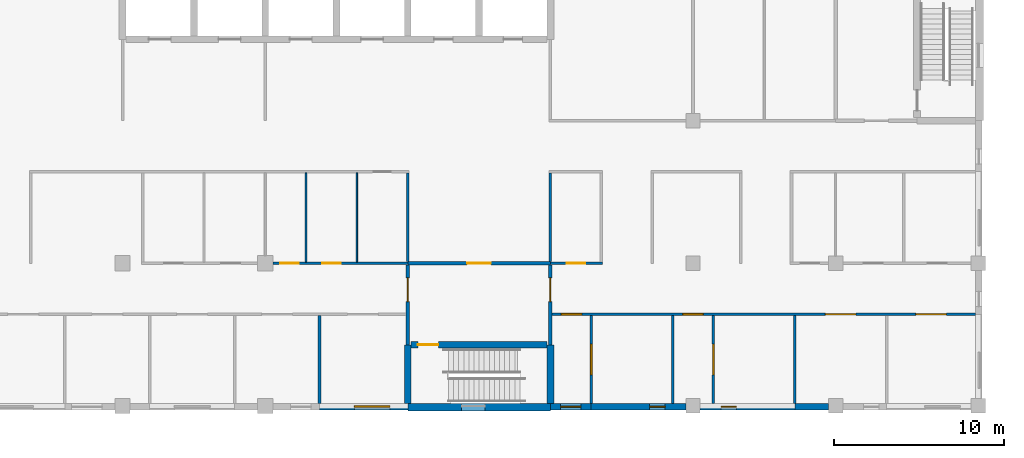
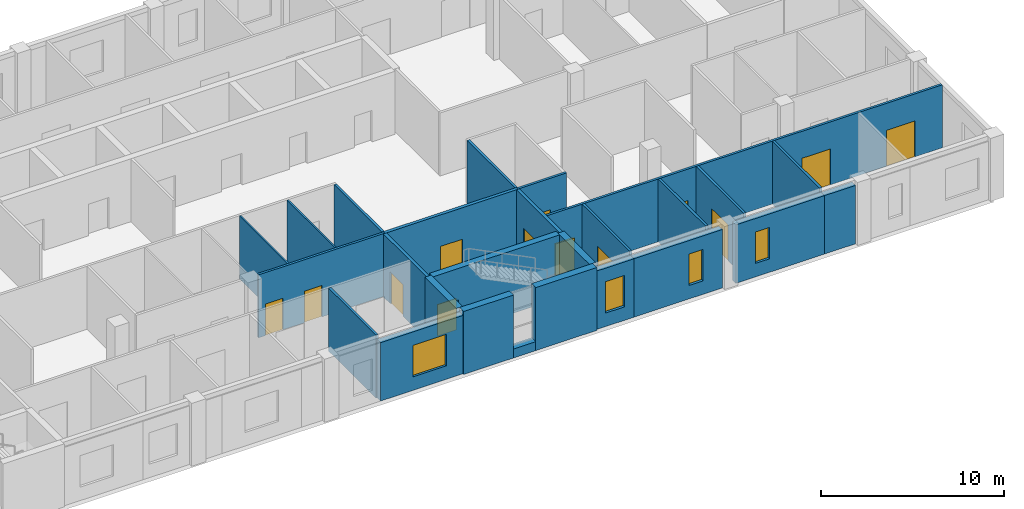
# One storey, part 46 of 66: 26 walls, 13 doors, 4 windows, 17 openings.
"""IFC4 building model written with IfcOpenShell, lengths in metres."""

from ifc_helpers import new_model, si_unit, direction, frame, frame_2d, origin, place, context, subcontext, project, spatial, rectangle, extrude, material, layer, layer_set, type_object, element, fill, save


model = new_model("IFC4")

# Units and contexts
model_context = context("Model", 3, precision=1e-05, world=origin(), true_north=direction((0.0, 1.0)))
body_context = subcontext(model_context, "Body", "Model", "MODEL_VIEW")
ifc_project = project(units=[si_unit("LENGTHUNIT", "METRE"), si_unit("AREAUNIT", "SQUARE_METRE"), si_unit("VOLUMEUNIT", "CUBIC_METRE"), si_unit("PLANEANGLEUNIT", "RADIAN"), si_unit("MASSUNIT", "GRAM", prefix="KILO")], contexts=[model_context])

# Site, building, storey
site_placement = place(None, origin())
site = spatial("IfcSite", under=ifc_project, at=site_placement, CompositionType="ELEMENT")
building_placement = place(site_placement, origin())
building = spatial("IfcBuilding", under=site, at=building_placement, Name="Yavir Park General Hospital", CompositionType="ELEMENT")
storey_placement = place(building_placement, frame((0.0, 0.0, 8.39990234375)))
storey = spatial("IfcBuildingStorey", under=building, at=storey_placement, Name="L02", CompositionType="ELEMENT", Elevation=8.39990234375)

# Wall, opening, door
ifc_material_1 = material(Name="Double gypsum board fire partition on steel studs", Category="steel")
ifc_layer_1 = layer(ifc_material_1, 0.199951171875)
ifc_layer_set_1 = layer_set([ifc_layer_1], Name="Double gypsum board fire partition on steel studs")
wall_type_1 = type_object("IfcWallType", Name="Fire-rated partition 200, EI 60", PredefinedType="PARTITIONING", material=ifc_layer_set_1)
wall_1_placement = place(storey_placement, frame((134.39990234375, 8.39990234375, 0.0), z_axis=(0.0, 0.0, 1.0), x_axis=(1.0, 0.0, 0.0)))
wall_1 = element("IfcWall", 1, at=wall_1_placement, inside=storey, type_object=wall_type_1, Name="FP20 L02-022", PredefinedType="PARTITIONING", context=body_context, shape_type="SweptSolid", body=[
    extrude(rectangle(XDim=8.400146484375, YDim=0.199951171875, at=frame_2d((4.2001953125, 0.0))), origin(), (0.0, 0.0, 1.0), 4.2001953125),
])
opening_1_placement = place(wall_1_placement, frame((3.5, 0.0, 0.0)))
opening_1 = element("IfcOpeningElement", 2, at=opening_1_placement, cuts=wall_1, Name="Opening L02.D034", PredefinedType="OPENING", context=body_context, shape_type="SweptSolid", body=[
    extrude(rectangle(XDim=1.39990234375, YDim=2.10009765625, at=frame_2d((0.699951171875, 1.050048828125))), frame((0.0, 0.10986328125, 0.0), z_axis=(0.0, -1.0, 0.0), x_axis=(1.0, 0.0, 0.0)), (0.0, 0.0, 1.0), 0.219970703125),
])
ifc_material_2 = material(Name="Steel frame, fire-resisting timber leaves", Category="steel")
door_type_1 = type_object("IfcDoorType", Name="Double fire door 1400 x 2100, EI 60", OperationType="DOUBLE_DOOR_SINGLE_SWING", PredefinedType="DOOR", material=ifc_material_2)
door_1_placement = place(opening_1_placement, origin())
door_1 = element("IfcDoor", 3, at=door_1_placement, inside=storey, type_object=door_type_1, Name="L02.D034", OperationType="SINGLE_SWING_LEFT", OverallHeight=2.10009765625, OverallWidth=1.39990234375, PredefinedType="DOOR", context=body_context, shape_type="SweptSolid", body=[
    extrude(rectangle(XDim=1.39990234375, YDim=2.10009765625, at=frame_2d((0.699951171875, 1.050048828125))), frame((0.0, 0.02490234375, 0.0), z_axis=(0.0, -1.0, 0.0), x_axis=(1.0, 0.0, 0.0)), (0.0, 0.0, 1.0), 0.050048828125),
])
fill(opening_1, door_1)

wall_2_placement = place(storey_placement, frame((134.39990234375, 3.60009765625, 0.0), z_axis=(0.0, 0.0, 1.0), x_axis=(0.0, 1.0, 0.0)))
wall_2 = element("IfcWall", 4, at=wall_2_placement, inside=storey, type_object=wall_type_1, Name="FP20 L02-308", PredefinedType="PARTITIONING", context=body_context, shape_type="SweptSolid", body=[
    extrude(rectangle(XDim=4.699951171875, YDim=0.199951171875, at=frame_2d((2.35009765625, 0.0))), origin(), (0.0, 0.0, 1.0), 4.2001953125),
])
opening_2_placement = place(wall_2_placement, frame((2.550048828125, 0.0, 0.0)))
opening_2 = element("IfcOpeningElement", 5, at=opening_2_placement, cuts=wall_2, Name="Opening L02.D184", PredefinedType="OPENING", context=body_context, shape_type="SweptSolid", body=[
    extrude(rectangle(XDim=1.39990234375, YDim=2.10009765625, at=frame_2d((0.699951171875, 1.050048828125))), frame((0.0, 0.10986328125, 0.0), z_axis=(0.0, -1.0, 0.0), x_axis=(1.0, 0.0, 0.0)), (0.0, 0.0, 1.0), 0.219970703125),
])
ifc_material_3 = material(Name="Steel frame, fire-resisting leaves with vision panels", Category="steel")
door_type_2 = type_object("IfcDoorType", Name="Double fire door with vision panels 1400 x 2100, EI 60", OperationType="DOUBLE_DOOR_SINGLE_SWING", PredefinedType="DOOR", material=ifc_material_3)
door_2_placement = place(opening_2_placement, origin())
door_2 = element("IfcDoor", 6, at=door_2_placement, inside=storey, type_object=door_type_2, Name="L02.D184", OperationType="SINGLE_SWING_RIGHT", OverallHeight=2.10009765625, OverallWidth=1.39990234375, PredefinedType="DOOR", context=body_context, shape_type="SweptSolid", body=[
    extrude(rectangle(XDim=1.39990234375, YDim=2.10009765625, at=frame_2d((0.699951171875, 1.050048828125))), frame((0.0, 0.030029296875, 0.0), z_axis=(0.0, -1.0, 0.0), x_axis=(1.0, 0.0, 0.0)), (0.0, 0.0, 1.0), 0.06005859375),
])
fill(opening_2, door_2)

wall_3_placement = place(storey_placement, frame((142.800048828125, 3.60009765625, 0.0), z_axis=(0.0, 0.0, 1.0), x_axis=(0.0, 1.0, 0.0)))
wall_3 = element("IfcWall", 7, at=wall_3_placement, inside=storey, type_object=wall_type_1, Name="FP20 L02-314", PredefinedType="PARTITIONING", context=body_context, shape_type="SweptSolid", body=[
    extrude(rectangle(XDim=4.699951171875, YDim=0.199951171875, at=frame_2d((2.35009765625, 0.0))), origin(), (0.0, 0.0, 1.0), 4.2001953125),
])
opening_3_placement = place(wall_3_placement, frame((2.550048828125, 0.0, 0.0)))
opening_3 = element("IfcOpeningElement", 8, at=opening_3_placement, cuts=wall_3, Name="Opening L02.D185", PredefinedType="OPENING", context=body_context, shape_type="SweptSolid", body=[
    extrude(rectangle(XDim=1.39990234375, YDim=2.10009765625, at=frame_2d((0.699951171875, 1.050048828125))), frame((0.0, 0.10986328125, 0.0), z_axis=(0.0, -1.0, 0.0), x_axis=(1.0, 0.0, 0.0)), (0.0, 0.0, 1.0), 0.219970703125),
])
door_3_placement = place(opening_3_placement, origin())
door_3 = element("IfcDoor", 9, at=door_3_placement, inside=storey, type_object=door_type_2, Name="L02.D185", OperationType="SINGLE_SWING_LEFT", OverallHeight=2.10009765625, OverallWidth=1.39990234375, PredefinedType="DOOR", context=body_context, shape_type="SweptSolid", body=[
    extrude(rectangle(XDim=1.39990234375, YDim=2.10009765625, at=frame_2d((0.699951171875, 1.050048828125))), frame((0.0, 0.030029296875, 0.0), z_axis=(0.0, -1.0, 0.0), x_axis=(1.0, 0.0, 0.0)), (0.0, 0.0, 1.0), 0.06005859375),
])
fill(opening_3, door_3)

# Walls
ifc_material_4 = material(Name="Gypsum board partition on steel studs", Category="steel")
ifc_layer_2 = layer(ifc_material_4, 0.10009765625)
ifc_layer_set_2 = layer_set([ifc_layer_2], Name="Gypsum board partition on steel studs")
wall_type_2 = type_object("IfcWallType", Name="Gypsum board partition 100", PredefinedType="PARTITIONING", material=ifc_layer_set_2)
for number, where, z_axis, x_axis, name in (
    (10, (128.39990234375, 8.47509765625, 0.0), (0.0, 0.0, 1.0), (0.0, 1.0, 0.0), "P10 L02-302"),
    (11, (131.39990234375, 8.47509765625, 0.0), (0.0, 0.0, 1.0), (0.0, 1.0, 0.0), "P10 L02-305"),
):
    element("IfcWall", number, at=place(storey_placement, frame(where, z_axis=z_axis, x_axis=x_axis)), inside=storey, type_object=wall_type_2, Name=name, PredefinedType="PARTITIONING", context=body_context, shape_type="SweptSolid", body=[
        extrude(rectangle(XDim=5.25, YDim=0.10009765625, at=frame_2d((2.625, 0.0))), origin(), (0.0, 0.0, 1.0), 4.2001953125),
    ])

# Wall, openings, doors
ifc_material_5 = material(Name="Gypsum board partition on steel studs", Category="steel")
ifc_layer_3 = layer(ifc_material_5, 0.14990234375)
ifc_layer_set_3 = layer_set([ifc_layer_3], Name="Gypsum board partition on steel studs")
wall_type_3 = type_object("IfcWallType", Name="Gypsum board partition 150", PredefinedType="PARTITIONING", material=ifc_layer_set_3)
wall_4_placement = place(storey_placement, frame((142.89990234375, 5.39990234375, 0.0), z_axis=(0.0, 0.0, 1.0), x_axis=(1.0, 0.0, 0.0)))
wall_4 = element("IfcWall", 12, at=wall_4_placement, inside=storey, type_object=wall_type_3, Name="P15 L02-006", PredefinedType="PARTITIONING", context=body_context, shape_type="SweptSolid", body=[
    extrude(rectangle(XDim=24.9501953125, YDim=0.14990234375, at=frame_2d((12.47509765625, 0.0))), origin(), (0.0, 0.0, 1.0), 4.2001953125),
])
opening_4_placement = place(wall_4_placement, frame((0.550048828125, 0.0, 0.0)))
opening_4 = element("IfcOpeningElement", 13, at=opening_4_placement, cuts=wall_4, Name="Opening L02.D010", PredefinedType="OPENING", context=body_context, shape_type="SweptSolid", body=[
    extrude(rectangle(XDim=1.199951171875, YDim=2.10009765625, at=frame_2d((0.60009765625, 1.050048828125))), frame((0.0, 0.0849609375, 0.0), z_axis=(0.0, -1.0, 0.0), x_axis=(1.0, 0.0, 0.0)), (0.0, 0.0, 1.0), 0.169921875),
])
opening_5_placement = place(wall_4_placement, frame((7.699951171875, 0.0, 0.0)))
opening_5 = element("IfcOpeningElement", 14, at=opening_5_placement, cuts=wall_4, Name="Opening L02.D011", PredefinedType="OPENING", context=body_context, shape_type="SweptSolid", body=[
    extrude(rectangle(XDim=1.199951171875, YDim=2.10009765625, at=frame_2d((0.60009765625, 1.050048828125))), frame((0.0, 0.0849609375, 0.0), z_axis=(0.0, -1.0, 0.0), x_axis=(1.0, 0.0, 0.0)), (0.0, 0.0, 1.0), 0.169921875),
])
opening_6_placement = place(wall_4_placement, frame((16.10009765625, 0.0, 0.0)))
opening_6 = element("IfcOpeningElement", 15, at=opening_6_placement, cuts=wall_4, Name="Opening L02.D012", PredefinedType="OPENING", context=body_context, shape_type="SweptSolid", body=[
    extrude(rectangle(XDim=1.800048828125, YDim=2.39990234375, at=frame_2d((0.89990234375, 1.199951171875))), frame((0.0, 0.0849609375, 0.0), z_axis=(0.0, -1.0, 0.0), x_axis=(1.0, 0.0, 0.0)), (0.0, 0.0, 1.0), 0.169921875),
])
opening_7_placement = place(wall_4_placement, frame((21.425048828125, 0.0, 0.0)))
opening_7 = element("IfcOpeningElement", 16, at=opening_7_placement, cuts=wall_4, Name="Opening L02.D013", PredefinedType="OPENING", context=body_context, shape_type="SweptSolid", body=[
    extrude(rectangle(XDim=1.800048828125, YDim=2.39990234375, at=frame_2d((0.89990234375, 1.199951171875))), frame((0.0, 0.0849609375, 0.0), z_axis=(0.0, -1.0, 0.0), x_axis=(1.0, 0.0, 0.0)), (0.0, 0.0, 1.0), 0.169921875),
])
ifc_material_6 = material(Name="Aluminium frame, safety glass leaves", Category="aluminium")
door_type_3 = type_object("IfcDoorType", Name="Glazed bi-parting sliding door, intensive care 1800 x 2400", OperationType="DOUBLE_DOOR_SLIDING", PredefinedType="DOOR", material=ifc_material_6)
door_4_placement = place(opening_6_placement, origin())
door_4 = element("IfcDoor", 17, at=door_4_placement, inside=storey, type_object=door_type_3, Name="L02.D012", OperationType="DOUBLE_DOOR_SLIDING", OverallHeight=2.39990234375, OverallWidth=1.800048828125, PredefinedType="DOOR", context=body_context, shape_type="SweptSolid", body=[
    extrude(rectangle(XDim=1.800048828125, YDim=2.39990234375, at=frame_2d((0.89990234375, 1.199951171875))), frame((0.0, 0.03515625, 0.0), z_axis=(0.0, -1.0, 0.0), x_axis=(1.0, 0.0, 0.0)), (0.0, 0.0, 1.0), 0.070068359375),
])
fill(opening_6, door_4)
door_5_placement = place(opening_7_placement, origin())
door_5 = element("IfcDoor", 18, at=door_5_placement, inside=storey, type_object=door_type_3, Name="L02.D013", OperationType="DOUBLE_DOOR_SLIDING", OverallHeight=2.39990234375, OverallWidth=1.800048828125, PredefinedType="DOOR", context=body_context, shape_type="SweptSolid", body=[
    extrude(rectangle(XDim=1.800048828125, YDim=2.39990234375, at=frame_2d((0.89990234375, 1.199951171875))), frame((0.0, 0.03515625, 0.0), z_axis=(0.0, -1.0, 0.0), x_axis=(1.0, 0.0, 0.0)), (0.0, 0.0, 1.0), 0.070068359375),
])
fill(opening_7, door_5)
ifc_material_7 = material(Name="Sealed steel door leaf, compression seals", Category="steel")
door_type_4 = type_object("IfcDoorType", Name="Isolation airlock door 1200 x 2100", OperationType="SINGLE_SWING_LEFT", PredefinedType="DOOR", material=ifc_material_7)
door_6_placement = place(opening_4_placement, origin())
door_6 = element("IfcDoor", 19, at=door_6_placement, inside=storey, type_object=door_type_4, Name="L02.D010", OperationType="SINGLE_SWING_RIGHT", OverallHeight=2.10009765625, OverallWidth=1.199951171875, PredefinedType="DOOR", context=body_context, shape_type="SweptSolid", body=[
    extrude(rectangle(XDim=1.199951171875, YDim=2.10009765625, at=frame_2d((0.60009765625, 1.050048828125))), frame((0.0, 0.050048828125, 0.0), z_axis=(0.0, -1.0, 0.0), x_axis=(1.0, 0.0, 0.0)), (0.0, 0.0, 1.0), 0.10009765625),
])
fill(opening_4, door_6)
door_7_placement = place(opening_5_placement, origin())
door_7 = element("IfcDoor", 20, at=door_7_placement, inside=storey, type_object=door_type_4, Name="L02.D011", OperationType="SINGLE_SWING_LEFT", OverallHeight=2.10009765625, OverallWidth=1.199951171875, PredefinedType="DOOR", context=body_context, shape_type="SweptSolid", body=[
    extrude(rectangle(XDim=1.199951171875, YDim=2.10009765625, at=frame_2d((0.60009765625, 1.050048828125))), frame((0.0, 0.050048828125, 0.0), z_axis=(0.0, -1.0, 0.0), x_axis=(1.0, 0.0, 0.0)), (0.0, 0.0, 1.0), 0.10009765625),
])
fill(opening_5, door_7)

wall_5_placement = place(storey_placement, frame((126.449951171875, 8.39990234375, 0.0), z_axis=(0.0, 0.0, 1.0), x_axis=(1.0, 0.0, 0.0)))
wall_5 = element("IfcWall", 21, at=wall_5_placement, inside=storey, type_object=wall_type_3, Name="P15 L02-021", PredefinedType="PARTITIONING", context=body_context, shape_type="SweptSolid", body=[
    extrude(rectangle(XDim=7.949951171875, YDim=0.14990234375, at=frame_2d((3.97509765625, 0.0))), origin(), (0.0, 0.0, 1.0), 4.2001953125),
])
opening_8_placement = place(wall_5_placement, frame((0.425048828125, 0.0, 0.0)))
opening_8 = element("IfcOpeningElement", 22, at=opening_8_placement, cuts=wall_5, Name="Opening L02.D032", PredefinedType="OPENING", context=body_context, shape_type="SweptSolid", body=[
    extrude(rectangle(XDim=1.10009765625, YDim=2.10009765625, at=frame_2d((0.550048828125, 1.050048828125))), frame((0.0, 0.0849609375, 0.0), z_axis=(0.0, -1.0, 0.0), x_axis=(1.0, 0.0, 0.0)), (0.0, 0.0, 1.0), 0.169921875),
])
opening_9_placement = place(wall_5_placement, frame((2.89990234375, 0.0, 0.0)))
opening_9 = element("IfcOpeningElement", 23, at=opening_9_placement, cuts=wall_5, Name="Opening L02.D033", PredefinedType="OPENING", context=body_context, shape_type="SweptSolid", body=[
    extrude(rectangle(XDim=1.10009765625, YDim=2.10009765625, at=frame_2d((0.550048828125, 1.050048828125))), frame((0.0, 0.0849609375, 0.0), z_axis=(0.0, -1.0, 0.0), x_axis=(1.0, 0.0, 0.0)), (0.0, 0.0, 1.0), 0.169921875),
])
ifc_material_8 = material(Name="Hollow metal frame, solid-core timber leaf", Category="wood")
door_type_5 = type_object("IfcDoorType", Name="Single swing door 1100 x 2100", OperationType="SINGLE_SWING_LEFT", PredefinedType="DOOR", material=ifc_material_8)
door_8_placement = place(opening_8_placement, origin())
door_8 = element("IfcDoor", 24, at=door_8_placement, inside=storey, type_object=door_type_5, Name="L02.D032", OperationType="SINGLE_SWING_RIGHT", OverallHeight=2.10009765625, OverallWidth=1.10009765625, PredefinedType="DOOR", context=body_context, shape_type="SweptSolid", body=[
    extrude(rectangle(XDim=1.10009765625, YDim=2.10009765625, at=frame_2d((0.550048828125, 1.050048828125))), frame((0.0, 0.02490234375, 0.0), z_axis=(0.0, -1.0, 0.0), x_axis=(1.0, 0.0, 0.0)), (0.0, 0.0, 1.0), 0.050048828125),
])
fill(opening_8, door_8)
door_9_placement = place(opening_9_placement, origin())
door_9 = element("IfcDoor", 25, at=door_9_placement, inside=storey, type_object=door_type_5, Name="L02.D033", OperationType="SINGLE_SWING_RIGHT", OverallHeight=2.10009765625, OverallWidth=1.10009765625, PredefinedType="DOOR", context=body_context, shape_type="SweptSolid", body=[
    extrude(rectangle(XDim=1.10009765625, YDim=2.10009765625, at=frame_2d((0.550048828125, 1.050048828125))), frame((0.0, 0.02490234375, 0.0), z_axis=(0.0, -1.0, 0.0), x_axis=(1.0, 0.0, 0.0)), (0.0, 0.0, 1.0), 0.050048828125),
])
fill(opening_9, door_9)

# Wall, opening, door
wall_6_placement = place(storey_placement, frame((142.800048828125, 8.39990234375, 0.0), z_axis=(0.0, 0.0, 1.0), x_axis=(1.0, 0.0, 0.0)))
wall_6 = element("IfcWall", 26, at=wall_6_placement, inside=storey, type_object=wall_type_3, Name="P15 L02-023", PredefinedType="PARTITIONING", context=body_context, shape_type="SweptSolid", body=[
    extrude(rectangle(XDim=3.074951171875, YDim=0.14990234375, at=frame_2d((1.53759765625, 0.0))), origin(), (0.0, 0.0, 1.0), 4.2001953125),
])
opening_10_placement = place(wall_6_placement, frame((0.949951171875, 0.0, 0.0)))
opening_10 = element("IfcOpeningElement", 27, at=opening_10_placement, cuts=wall_6, Name="Opening L02.D035", PredefinedType="OPENING", context=body_context, shape_type="SweptSolid", body=[
    extrude(rectangle(XDim=1.10009765625, YDim=2.10009765625, at=frame_2d((0.550048828125, 1.050048828125))), frame((0.0, 0.0849609375, 0.0), z_axis=(0.0, -1.0, 0.0), x_axis=(1.0, 0.0, 0.0)), (0.0, 0.0, 1.0), 0.169921875),
])
door_10_placement = place(opening_10_placement, origin())
door_10 = element("IfcDoor", 28, at=door_10_placement, inside=storey, type_object=door_type_5, Name="L02.D035", OperationType="SINGLE_SWING_LEFT", OverallHeight=2.10009765625, OverallWidth=1.10009765625, PredefinedType="DOOR", context=body_context, shape_type="SweptSolid", body=[
    extrude(rectangle(XDim=1.10009765625, YDim=2.10009765625, at=frame_2d((0.550048828125, 1.050048828125))), frame((0.0, 0.02490234375, 0.0), z_axis=(0.0, -1.0, 0.0), x_axis=(1.0, 0.0, 0.0)), (0.0, 0.0, 1.0), 0.050048828125),
])
fill(opening_10, door_10)

# Walls
wall_7_placement = place(storey_placement, frame((129.199951171875, 0.14990234375, 0.0), z_axis=(0.0, 0.0, 1.0), x_axis=(0.0, 1.0, 0.0)))
element("IfcWall", 29, at=wall_7_placement, inside=storey, type_object=wall_type_3, Name="P15 L02-303", PredefinedType="PARTITIONING", context=body_context, shape_type="SweptSolid", body=[
    extrude(rectangle(XDim=5.175048828125, YDim=0.14990234375, at=frame_2d((2.58740234375, 0.0))), origin(), (0.0, 0.0, 1.0), 4.2001953125),
])
for number, where, z_axis, x_axis, name in (
    (30, (134.39990234375, 8.5, 0.0), (0.0, 0.0, 1.0), (0.0, 1.0, 0.0), "P15 L02-309"),
    (31, (142.800048828125, 8.5, 0.0), (0.0, 0.0, 1.0), (0.0, 1.0, 0.0), "P15 L02-315"),
):
    element("IfcWall", number, at=place(storey_placement, frame(where, z_axis=z_axis, x_axis=x_axis)), inside=storey, type_object=wall_type_3, Name=name, PredefinedType="PARTITIONING", context=body_context, shape_type="SweptSolid", body=[
        extrude(rectangle(XDim=5.22509765625, YDim=0.14990234375, at=frame_2d((2.612548828125, 0.0))), origin(), (0.0, 0.0, 1.0), 4.2001953125),
    ])

# Wall, opening, door
wall_8_placement = place(storey_placement, frame((145.199951171875, 0.14990234375, 0.0), z_axis=(0.0, 0.0, 1.0), x_axis=(0.0, 1.0, 0.0)))
wall_8 = element("IfcWall", 32, at=wall_8_placement, inside=storey, type_object=wall_type_3, Name="P15 L02-320", PredefinedType="PARTITIONING", context=body_context, shape_type="SweptSolid", body=[
    extrude(rectangle(XDim=5.175048828125, YDim=0.14990234375, at=frame_2d((2.58740234375, 0.0))), origin(), (0.0, 0.0, 1.0), 4.2001953125),
])
opening_11_placement = place(wall_8_placement, frame((1.6875, 0.0, 0.0)))
opening_11 = element("IfcOpeningElement", 33, at=opening_11_placement, cuts=wall_8, Name="Opening L02.D187", PredefinedType="OPENING", context=body_context, shape_type="SweptSolid", body=[
    extrude(rectangle(XDim=1.800048828125, YDim=2.39990234375, at=frame_2d((0.89990234375, 1.199951171875))), frame((0.0, 0.0849609375, 0.0), z_axis=(0.0, -1.0, 0.0), x_axis=(1.0, 0.0, 0.0)), (0.0, 0.0, 1.0), 0.169921875),
])
ifc_material_9 = material(Name="Sealed steel door leaves, compression seals", Category="steel")
door_type_6 = type_object("IfcDoorType", Name="Isolation airlock double door 1800 x 2400", OperationType="DOUBLE_DOOR_SINGLE_SWING", PredefinedType="DOOR", material=ifc_material_9)
door_11_placement = place(opening_11_placement, origin())
door_11 = element("IfcDoor", 34, at=door_11_placement, inside=storey, type_object=door_type_6, Name="L02.D187", OperationType="SINGLE_SWING_RIGHT", OverallHeight=2.39990234375, OverallWidth=1.800048828125, PredefinedType="DOOR", context=body_context, shape_type="SweptSolid", body=[
    extrude(rectangle(XDim=1.800048828125, YDim=2.39990234375, at=frame_2d((0.89990234375, 1.199951171875))), frame((0.0, 0.050048828125, 0.0), z_axis=(0.0, -1.0, 0.0), x_axis=(1.0, 0.0, 0.0)), (0.0, 0.0, 1.0), 0.10009765625),
])
fill(opening_11, door_11)

# Wall
wall_9_placement = place(storey_placement, frame((150.0, 0.14990234375, 0.0), z_axis=(0.0, 0.0, 1.0), x_axis=(0.0, 1.0, 0.0)))
element("IfcWall", 35, at=wall_9_placement, inside=storey, type_object=wall_type_3, Name="P15 L02-325", PredefinedType="PARTITIONING", context=body_context, shape_type="SweptSolid", body=[
    extrude(rectangle(XDim=5.175048828125, YDim=0.14990234375, at=frame_2d((2.58740234375, 0.0))), origin(), (0.0, 0.0, 1.0), 4.2001953125),
])

# Wall, opening, door
wall_10_placement = place(storey_placement, frame((152.39990234375, 0.14990234375, 0.0), z_axis=(0.0, 0.0, 1.0), x_axis=(0.0, 1.0, 0.0)))
wall_10 = element("IfcWall", 36, at=wall_10_placement, inside=storey, type_object=wall_type_3, Name="P15 L02-328", PredefinedType="PARTITIONING", context=body_context, shape_type="SweptSolid", body=[
    extrude(rectangle(XDim=5.175048828125, YDim=0.14990234375, at=frame_2d((2.58740234375, 0.0))), origin(), (0.0, 0.0, 1.0), 4.2001953125),
])
opening_12_placement = place(wall_10_placement, frame((1.6875, 0.0, 0.0)))
opening_12 = element("IfcOpeningElement", 37, at=opening_12_placement, cuts=wall_10, Name="Opening L02.D190", PredefinedType="OPENING", context=body_context, shape_type="SweptSolid", body=[
    extrude(rectangle(XDim=1.800048828125, YDim=2.39990234375, at=frame_2d((0.89990234375, 1.199951171875))), frame((0.0, 0.0849609375, 0.0), z_axis=(0.0, -1.0, 0.0), x_axis=(1.0, 0.0, 0.0)), (0.0, 0.0, 1.0), 0.169921875),
])
door_12_placement = place(opening_12_placement, origin())
door_12 = element("IfcDoor", 38, at=door_12_placement, inside=storey, type_object=door_type_6, Name="L02.D190", OperationType="SINGLE_SWING_RIGHT", OverallHeight=2.39990234375, OverallWidth=1.800048828125, PredefinedType="DOOR", context=body_context, shape_type="SweptSolid", body=[
    extrude(rectangle(XDim=1.800048828125, YDim=2.39990234375, at=frame_2d((0.89990234375, 1.199951171875))), frame((0.0, 0.050048828125, 0.0), z_axis=(0.0, -1.0, 0.0), x_axis=(1.0, 0.0, 0.0)), (0.0, 0.0, 1.0), 0.10009765625),
])
fill(opening_12, door_12)

# Wall
wall_11_placement = place(storey_placement, frame((157.199951171875, 0.14990234375, 0.0), z_axis=(0.0, 0.0, 1.0), x_axis=(0.0, 1.0, 0.0)))
element("IfcWall", 39, at=wall_11_placement, inside=storey, type_object=wall_type_3, Name="P15 L02-334", PredefinedType="PARTITIONING", context=body_context, shape_type="SweptSolid", body=[
    extrude(rectangle(XDim=5.175048828125, YDim=0.14990234375, at=frame_2d((2.58740234375, 0.0))), origin(), (0.0, 0.0, 1.0), 4.2001953125),
])

# Wall, opening, window
ifc_material_10 = material(Name="Autoclaved aerated block, 150 mm mineral wool and sand-coloured mineral render")
ifc_layer_4 = layer(ifc_material_10, 0.375)
ifc_layer_set_4 = layer_set([ifc_layer_4], Name="Autoclaved aerated block, 150 mm mineral wool and sand-coloured mineral render")
wall_type_4 = type_object("IfcWallType", Name="Mineral render clinical wall 375, E 30", PredefinedType="SOLIDWALL", material=ifc_layer_set_4)
wall_12_placement = place(storey_placement, frame((129.199951171875, -0.03759765625, 0.0), z_axis=(0.0, 0.0, 1.0), x_axis=(1.0, 0.0, 0.0)))
wall_12 = element("IfcWall", 40, at=wall_12_placement, inside=storey, type_object=wall_type_4, Name="XW1 L02-034", PredefinedType="SOLIDWALL", context=body_context, shape_type="SweptSolid", body=[
    extrude(rectangle(XDim=5.199951171875, YDim=0.375, at=frame_2d((2.60009765625, 0.0))), origin(), (0.0, 0.0, 1.0), 3.900146484375),
])
opening_13_placement = place(wall_12_placement, frame((2.050048828125, 0.0, 0.89990234375)))
opening_13 = element("IfcOpeningElement", 41, at=opening_13_placement, cuts=wall_12, Name="Opening WI2", PredefinedType="OPENING", context=body_context, shape_type="SweptSolid", body=[
    extrude(rectangle(XDim=2.10009765625, YDim=2.10009765625, at=frame_2d((1.050048828125, 1.050048828125))), frame((0.0, 0.197509765625, 0.0), z_axis=(0.0, -1.0, 0.0), x_axis=(1.0, 0.0, 0.0)), (0.0, 0.0, 1.0), 0.39501953125),
])
ifc_material_11 = material(Name="Aluminium frame, acoustic glazed unit", Category="aluminium")
window_type_1 = type_object("IfcWindowType", Name="Tall acoustic glazed window 2100 x 2100", PartitioningType="SINGLE_PANEL", PredefinedType="WINDOW", material=ifc_material_11)
window_1_placement = place(opening_13_placement, origin())
window_1 = element("IfcWindow", 42, at=window_1_placement, inside=storey, type_object=window_type_1, Name="WI2 L02-014", OverallHeight=2.10009765625, OverallWidth=2.10009765625, PartitioningType="SINGLE_PANEL", PredefinedType="WINDOW", context=body_context, shape_type="SweptSolid", body=[
    extrude(rectangle(XDim=2.10009765625, YDim=2.10009765625, at=frame_2d((1.050048828125, 1.050048828125))), frame((0.0, 0.044921875, 0.0), z_axis=(0.0, -1.0, 0.0), x_axis=(1.0, 0.0, 0.0)), (0.0, 0.0, 1.0), 0.090087890625),
])
fill(opening_13, window_1)

wall_13_placement = place(storey_placement, frame((142.800048828125, -0.03759765625, 0.0), z_axis=(0.0, 0.0, 1.0), x_axis=(1.0, 0.0, 0.0)))
wall_13 = element("IfcWall", 43, at=wall_13_placement, inside=storey, type_object=wall_type_4, Name="XW1 L02-038", PredefinedType="SOLIDWALL", context=body_context, shape_type="SweptSolid", body=[
    extrude(rectangle(XDim=2.39990234375, YDim=0.375, at=frame_2d((1.199951171875, 0.0))), origin(), (0.0, 0.0, 1.0), 3.900146484375),
])
opening_14_placement = place(wall_13_placement, frame((0.60009765625, 0.0, 0.89990234375)))
opening_14 = element("IfcOpeningElement", 44, at=opening_14_placement, cuts=wall_13, Name="Opening WD2", PredefinedType="OPENING", context=body_context, shape_type="SweptSolid", body=[
    extrude(rectangle(XDim=1.199951171875, YDim=2.10009765625, at=frame_2d((0.60009765625, 1.050048828125))), frame((0.0, 0.197509765625, 0.0), z_axis=(0.0, -1.0, 0.0), x_axis=(1.0, 0.0, 0.0)), (0.0, 0.0, 1.0), 0.39501953125),
])
ifc_material_12 = material(Name="Aluminium frame, double glazed unit", Category="aluminium")
window_type_2 = type_object("IfcWindowType", Name="Tall office window 1200 x 2100", PartitioningType="SINGLE_PANEL", PredefinedType="WINDOW", material=ifc_material_12)
window_2_placement = place(opening_14_placement, origin())
window_2 = element("IfcWindow", 45, at=window_2_placement, inside=storey, type_object=window_type_2, Name="WD2 L02-015", OverallHeight=2.10009765625, OverallWidth=1.199951171875, PartitioningType="SINGLE_PANEL", PredefinedType="WINDOW", context=body_context, shape_type="SweptSolid", body=[
    extrude(rectangle(XDim=1.199951171875, YDim=2.10009765625, at=frame_2d((0.60009765625, 1.050048828125))), frame((0.0, 0.030029296875, 0.0), z_axis=(0.0, -1.0, 0.0), x_axis=(1.0, 0.0, 0.0)), (0.0, 0.0, 1.0), 0.06005859375),
])
fill(opening_14, window_2)

wall_14_placement = place(storey_placement, frame((145.199951171875, -0.03759765625, 0.0), z_axis=(0.0, 0.0, 1.0), x_axis=(1.0, 0.0, 0.0)))
wall_14 = element("IfcWall", 46, at=wall_14_placement, inside=storey, type_object=wall_type_4, Name="XW1 L02-039", PredefinedType="SOLIDWALL", context=body_context, shape_type="SweptSolid", body=[
    extrude(rectangle(XDim=5.574951171875, YDim=0.375, at=frame_2d((2.78759765625, 0.0))), origin(), (0.0, 0.0, 1.0), 3.900146484375),
])
opening_15_placement = place(wall_14_placement, frame((3.449951171875, 0.0, 0.89990234375)))
opening_15 = element("IfcOpeningElement", 47, at=opening_15_placement, cuts=wall_14, Name="Opening WH2", PredefinedType="OPENING", context=body_context, shape_type="SweptSolid", body=[
    extrude(rectangle(XDim=0.89990234375, YDim=2.10009765625, at=frame_2d((0.449951171875, 1.050048828125))), frame((0.0, 0.197509765625, 0.0), z_axis=(0.0, -1.0, 0.0), x_axis=(1.0, 0.0, 0.0)), (0.0, 0.0, 1.0), 0.39501953125),
])
ifc_material_13 = material(Name="Aluminium frame, double glazed unit", Category="aluminium")
window_type_3 = type_object("IfcWindowType", Name="Tall narrow window 900 x 2100", PartitioningType="SINGLE_PANEL", PredefinedType="WINDOW", material=ifc_material_13)
window_3_placement = place(opening_15_placement, origin())
window_3 = element("IfcWindow", 48, at=window_3_placement, inside=storey, type_object=window_type_3, Name="WH2 L02-016", OverallHeight=2.10009765625, OverallWidth=0.89990234375, PartitioningType="SINGLE_PANEL", PredefinedType="WINDOW", context=body_context, shape_type="SweptSolid", body=[
    extrude(rectangle(XDim=0.89990234375, YDim=2.10009765625, at=frame_2d((0.449951171875, 1.050048828125))), frame((0.0, 0.030029296875, 0.0), z_axis=(0.0, -1.0, 0.0), x_axis=(1.0, 0.0, 0.0)), (0.0, 0.0, 1.0), 0.06005859375),
])
fill(opening_15, window_3)

wall_15_placement = place(storey_placement, frame((151.625, -0.03759765625, 0.0), z_axis=(0.0, 0.0, 1.0), x_axis=(1.0, 0.0, 0.0)))
wall_15 = element("IfcWall", 49, at=wall_15_placement, inside=storey, type_object=wall_type_4, Name="XW1 L02-042", PredefinedType="SOLIDWALL", context=body_context, shape_type="SweptSolid", body=[
    extrude(rectangle(XDim=5.574951171875, YDim=0.375, at=frame_2d((2.78759765625, 0.0))), origin(), (0.0, 0.0, 1.0), 3.900146484375),
])
opening_16_placement = place(wall_15_placement, frame((1.22509765625, 0.0, 0.89990234375)))
opening_16 = element("IfcOpeningElement", 50, at=opening_16_placement, cuts=wall_15, Name="Opening WH2", PredefinedType="OPENING", context=body_context, shape_type="SweptSolid", body=[
    extrude(rectangle(XDim=0.89990234375, YDim=2.10009765625, at=frame_2d((0.449951171875, 1.050048828125))), frame((0.0, 0.197509765625, 0.0), z_axis=(0.0, -1.0, 0.0), x_axis=(1.0, 0.0, 0.0)), (0.0, 0.0, 1.0), 0.39501953125),
])
window_4_placement = place(opening_16_placement, origin())
window_4 = element("IfcWindow", 51, at=window_4_placement, inside=storey, type_object=window_type_3, Name="WH2 L02-017", OverallHeight=2.10009765625, OverallWidth=0.89990234375, PartitioningType="SINGLE_PANEL", PredefinedType="WINDOW", context=body_context, shape_type="SweptSolid", body=[
    extrude(rectangle(XDim=0.89990234375, YDim=2.10009765625, at=frame_2d((0.449951171875, 1.050048828125))), frame((0.0, 0.030029296875, 0.0), z_axis=(0.0, -1.0, 0.0), x_axis=(1.0, 0.0, 0.0)), (0.0, 0.0, 1.0), 0.06005859375),
])
fill(opening_16, window_4)

# Wall
wall_16_placement = place(storey_placement, frame((157.199951171875, -0.03759765625, 0.0), z_axis=(0.0, 0.0, 1.0), x_axis=(1.0, 0.0, 0.0)))
element("IfcWall", 52, at=wall_16_placement, inside=storey, type_object=wall_type_4, Name="XW1 L02-043", PredefinedType="SOLIDWALL", context=body_context, shape_type="SweptSolid", body=[
    extrude(rectangle(XDim=1.97509765625, YDim=0.375, at=frame_2d((0.987548828125, 0.0))), origin(), (0.0, 0.0, 1.0), 3.900146484375),
])

# Wall, opening, door
ifc_material_14 = material(Name="Concrete C35/45", Category="concrete")
ifc_layer_5 = layer(ifc_material_14, 0.39990234375)
ifc_layer_set_5 = layer_set([ifc_layer_5], Name="Concrete C35/45")
wall_type_5 = type_object("IfcWallType", Name="Reinforced concrete core wall 400, REI 150", PredefinedType="SHEAR", material=ifc_layer_set_5)
wall_17_placement = place(storey_placement, frame((134.60009765625, 3.60009765625, 0.0), z_axis=(0.0, 0.0, 1.0), x_axis=(1.0, 0.0, 0.0)))
wall_17 = element("IfcWall", 53, at=wall_17_placement, inside=storey, type_object=wall_type_5, Name="CW40 L02-004", PredefinedType="SHEAR", context=body_context, shape_type="SweptSolid", body=[
    extrude(rectangle(XDim=8.0, YDim=0.39990234375, at=frame_2d((4.0, 0.0))), origin(), (0.0, 0.0, 1.0), 4.2001953125),
])
opening_17_placement = place(wall_17_placement, frame((0.39990234375, 0.0, 0.0)))
opening_17 = element("IfcOpeningElement", 54, at=opening_17_placement, cuts=wall_17, Name="Opening L02.D004", PredefinedType="OPENING", context=body_context, shape_type="SweptSolid", body=[
    extrude(rectangle(XDim=1.199951171875, YDim=2.10009765625, at=frame_2d((0.60009765625, 1.050048828125))), frame((0.0, 0.2099609375, 0.0), z_axis=(0.0, -1.0, 0.0), x_axis=(1.0, 0.0, 0.0)), (0.0, 0.0, 1.0), 0.419921875),
])
ifc_material_15 = material(Name="Steel frame, fire-resisting timber leaf", Category="steel")
door_type_7 = type_object("IfcDoorType", Name="Fire door 1200 x 2100, EI 60", OperationType="SINGLE_SWING_LEFT", PredefinedType="DOOR", material=ifc_material_15)
door_13_placement = place(opening_17_placement, origin())
door_13 = element("IfcDoor", 55, at=door_13_placement, inside=storey, type_object=door_type_7, Name="L02.D004", OperationType="SINGLE_SWING_LEFT", OverallHeight=2.10009765625, OverallWidth=1.199951171875, PredefinedType="DOOR", context=body_context, shape_type="SweptSolid", body=[
    extrude(rectangle(XDim=1.199951171875, YDim=2.10009765625, at=frame_2d((0.60009765625, 1.050048828125))), frame((0.0, 0.02490234375, 0.0), z_axis=(0.0, -1.0, 0.0), x_axis=(1.0, 0.0, 0.0)), (0.0, 0.0, 1.0), 0.050048828125),
])
fill(opening_17, door_13)

# Walls
for number, where, z_axis, x_axis, name in (
    (56, (134.39990234375, 0.14990234375, 0.0), (0.0, 0.0, 1.0), (0.0, 1.0, 0.0), "CW40 L02-307"),
    (57, (142.800048828125, 0.14990234375, 0.0), (0.0, 0.0, 1.0), (0.0, 1.0, 0.0), "CW40 L02-313"),
):
    element("IfcWall", number, at=place(storey_placement, frame(where, z_axis=z_axis, x_axis=x_axis)), inside=storey, type_object=wall_type_5, Name=name, PredefinedType="SHEAR", context=body_context, shape_type="SweptSolid", body=[
        extrude(rectangle(XDim=3.4501953125, YDim=0.39990234375, at=frame_2d((1.72509765625, 0.0))), origin(), (0.0, 0.0, 1.0), 4.2001953125),
    ])
ifc_material_16 = material(Name="Concrete C30/37 precast panel with 150 mm mineral wool insulation", Category="concrete")
ifc_layer_6 = layer(ifc_material_16, 0.449951171875)
ifc_layer_set_6 = layer_set([ifc_layer_6], Name="Concrete C30/37 precast panel with 150 mm mineral wool insulation")
wall_type_6 = type_object("IfcWallType", Name="Stair enclosure wall 450, REI 150", PredefinedType="SOLIDWALL", material=ifc_layer_set_6)
wall_18_placement = place(storey_placement, frame((134.39990234375, -0.074951171875, 0.0), z_axis=(0.0, 0.0, 1.0), x_axis=(1.0, 0.0, 0.0)))
element("IfcWall", 58, at=wall_18_placement, inside=storey, type_object=wall_type_6, Name="XW6 L02-035", PredefinedType="SOLIDWALL", context=body_context, shape_type="SweptSolid", body=[
    extrude(rectangle(XDim=3.150146484375, YDim=0.449951171875, at=frame_2d((1.5751953125, 0.0))), origin(), (0.0, 0.0, 1.0), 4.2001953125),
])
wall_19_placement = place(storey_placement, frame((138.949951171875, -0.074951171875, 0.0), z_axis=(0.0, 0.0, 1.0), x_axis=(1.0, 0.0, 0.0)))
element("IfcWall", 59, at=wall_19_placement, inside=storey, type_object=wall_type_6, Name="XW6 L02-036", PredefinedType="SOLIDWALL", context=body_context, shape_type="SweptSolid", body=[
    extrude(rectangle(XDim=3.85009765625, YDim=0.449951171875, at=frame_2d((1.925048828125, 0.0))), origin(), (0.0, 0.0, 1.0), 4.2001953125),
])
wall_20_placement = place(storey_placement, frame((137.550048828125, -0.074951171875, 0.0), z_axis=(0.0, 0.0, 1.0), x_axis=(1.0, 0.0, 0.0)))
element("IfcWall", 60, at=wall_20_placement, inside=storey, type_object=wall_type_6, Name="XW6 L02-037", PredefinedType="SOLIDWALL", context=body_context, shape_type="SweptSolid", body=[
    extrude(rectangle(XDim=1.39990234375, YDim=0.449951171875, at=frame_2d((0.699951171875, 0.0))), origin(), (0.0, 0.0, 1.0), 0.60009765625),
])

save(model, "model.ifc")
